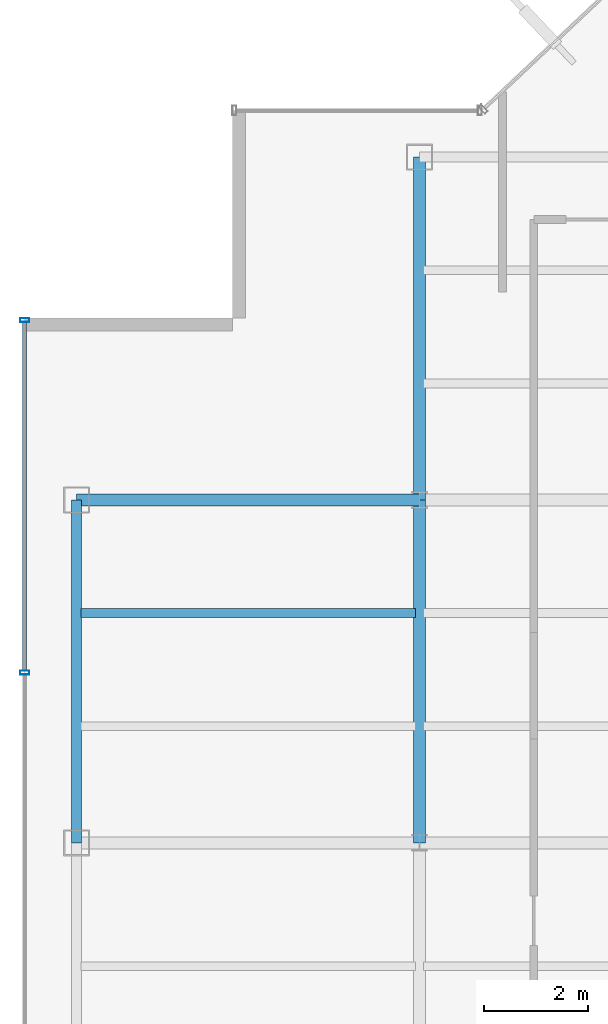
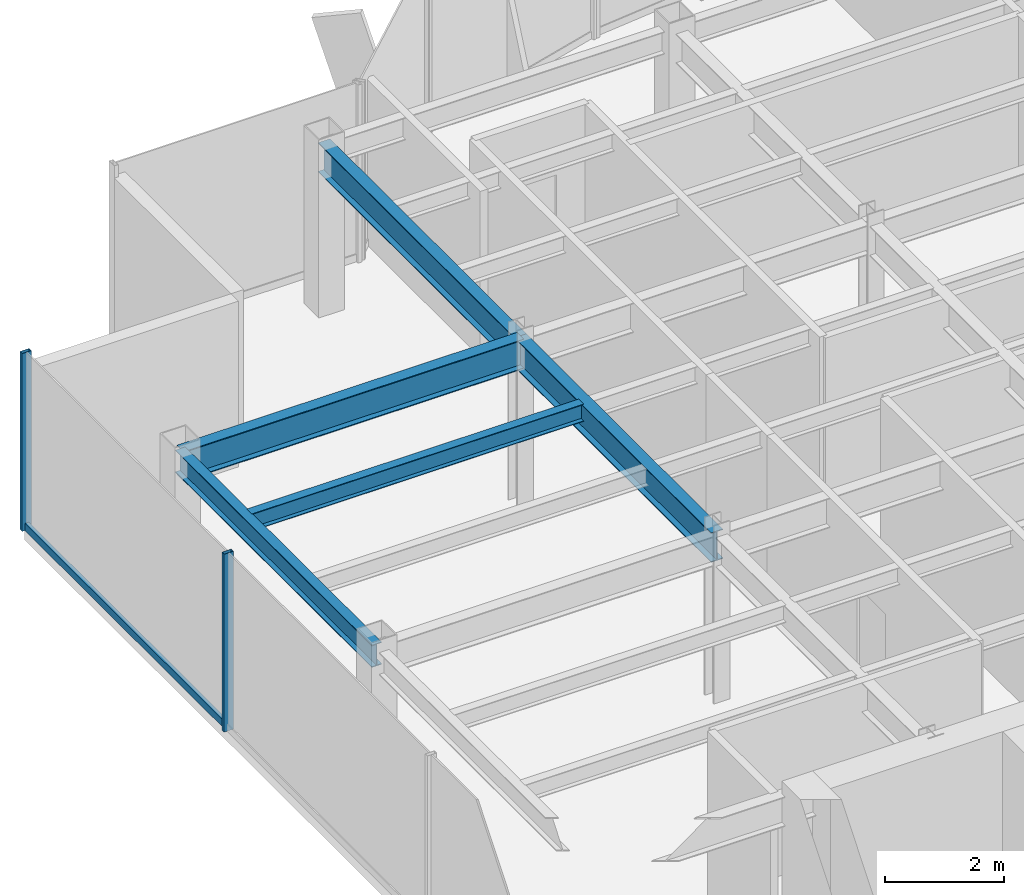
# One storey, part 7 of 21: 5 beams, 3 members, 1 element without a shape of its own.
"""IFC4 building model written with IfcOpenShell, lengths in metres."""

import ifcopenshell
import ifcopenshell.guid

model = None  # the IFC model being written
_history = None  # IfcOwnerHistory: only IFC2X3 demands one
_inside = {}  # id of a spatial element -> (the spatial element, [elements in it])
_under = {}  # id of a project, library or spatial element -> (it, [spatial elements below it])
_declared = {}  # id of a project -> (the project, [libraries it declares])
_typed = {}  # id of a type object -> (the type object, [elements of that type])
_made_of = {}  # id of a material, layer set ... -> (it, [elements and type objects made of it])


def new_model(schema):
    """Start an empty IFC model of exactly this schema.

    Asked for "IFC4X3", IfcOpenShell would pick the latest addendum, in which some entities
    have other attributes; the version numbers below select the first issue.
    IFC2X3 requires an IfcOwnerHistory on every rooted entity: one is made here for all.
    """
    global model, _history
    if schema == "IFC4X3":
        model = ifcopenshell.file(schema_version=(4, 3, 0, 0))
    else:
        model = ifcopenshell.file(schema=schema)
    _inside.clear()
    _under.clear()
    _declared.clear()
    _typed.clear()
    _made_of.clear()
    _history = None
    if model.schema == "IFC2X3":
        org = make("IfcOrganization", Name="unknown")
        user = make(
            "IfcPersonAndOrganization",
            ThePerson=make("IfcPerson", FamilyName="unknown"),
            TheOrganization=org,
        )
        app = make(
            "IfcApplication",
            ApplicationDeveloper=org,
            Version="unknown",
            ApplicationFullName="unknown",
            ApplicationIdentifier="unknown",
        )
        _history = make(
            "IfcOwnerHistory",
            OwningUser=user,
            OwningApplication=app,
            ChangeAction="ADDED",
            CreationDate=0,
        )
    return model


def make(cls, **values):
    """One entity of the class cls with the attributes given. An attribute that is None is left unset."""
    return model.create_entity(
        cls, **{name: value for name, value in values.items() if value is not None}
    )


def rooted(cls, **values):
    """An entity with a GlobalId (a new one), such as an element, a storey or a relation."""
    return make(cls, GlobalId=ifcopenshell.guid.new(), OwnerHistory=_history, **values)


def si_unit(unit_type, name, prefix=None):
    """IfcSIUnit, for example si_unit("LENGTHUNIT", "METRE", prefix="MILLI")."""
    return make("IfcSIUnit", UnitType=unit_type, Prefix=prefix, Name=name)


def derived_unit(unit_type, elements):
    """IfcDerivedUnit: a product of units, each with its exponent."""
    return make(
        "IfcDerivedUnit",
        Elements=[
            make("IfcDerivedUnitElement", Unit=unit, Exponent=power)
            for unit, power in elements
        ],
        UnitType=unit_type,
    )


def assignment(units):
    """IfcUnitAssignment: the units of a project."""
    return None if units is None else make("IfcUnitAssignment", Units=units)


def point(xyz):
    """IfcCartesianPoint."""
    return None if xyz is None else make("IfcCartesianPoint", Coordinates=xyz)


def direction(xyz):
    """IfcDirection."""
    return None if xyz is None else make("IfcDirection", DirectionRatios=xyz)


def frame(location, z_axis=None, x_axis=None):
    """IfcAxis2Placement3D, a coordinate frame: its origin and axes. An axis left out is left unset."""
    return make(
        "IfcAxis2Placement3D",
        Location=point(location),
        Axis=direction(z_axis),
        RefDirection=direction(x_axis),
    )


def frame_2d(location, x_axis=None):
    """IfcAxis2Placement2D, a coordinate frame in the plane: its origin and x axis."""
    return make(
        "IfcAxis2Placement2D", Location=point(location), RefDirection=direction(x_axis)
    )


def origin():
    """The frame at (0, 0, 0) with its axes left unset."""
    return frame((0.0, 0.0, 0.0))


def origin_2d():
    """The frame at (0, 0) in the plane with its x axis left unset."""
    return frame_2d((0.0, 0.0))


def place(relative_to, where):
    """IfcLocalPlacement: puts the frame where relative to a parent placement (None: the world)."""
    return make(
        "IfcLocalPlacement", PlacementRelTo=relative_to, RelativePlacement=where
    )


def context(
    kind, dimensions, precision=None, world=None, true_north=None, identifier=None
):
    """IfcGeometricRepresentationContext, for example the 3D "Model" context."""
    return make(
        "IfcGeometricRepresentationContext",
        ContextIdentifier=identifier,
        ContextType=kind,
        CoordinateSpaceDimension=dimensions,
        Precision=precision,
        WorldCoordinateSystem=world,
        TrueNorth=true_north,
    )


def subcontext(parent, identifier, kind, view, scale=None):
    """IfcGeometricRepresentationSubContext, for example "Body" below "Model"."""
    return make(
        "IfcGeometricRepresentationSubContext",
        ContextIdentifier=identifier,
        ContextType=kind,
        ParentContext=parent,
        TargetScale=scale,
        TargetView=view,
    )


def project(units=None, contexts=None):
    """IfcProject with its units and contexts."""
    return rooted(
        "IfcProject",
        Name="project",
        RepresentationContexts=contexts,
        UnitsInContext=assignment(units),
    )


def spatial(cls, under=None, at=None, **own):
    """A site, building, storey or space (cls), placed at a placement, below another one or the project."""
    s = rooted(cls, ObjectPlacement=at, **own)
    if under is not None:
        _under.setdefault(under.id(), (under, []))[1].append(s)
    return s


def profile(cls, at=None, kind="AREA", **sizes):
    """A parametric profile (cls). Its sizes go by their IFC names, for example OverallWidth=200.0."""
    return make(cls, ProfileType=kind, Position=at, **sizes)


def hollow_rectangle(**sizes):
    """IfcRectangleHollowProfileDef."""
    return profile("IfcRectangleHollowProfileDef", **sizes)


def i_section(**sizes):
    """IfcIShapeProfileDef."""
    return profile("IfcIShapeProfileDef", **sizes)


def extrude(swept, where, along, depth):
    """IfcExtrudedAreaSolid: the profile swept, set in the frame where, extruded along a direction by depth."""
    return make(
        "IfcExtrudedAreaSolid",
        SweptArea=swept,
        Position=where,
        ExtrudedDirection=direction(along),
        Depth=depth,
    )


def shape(context_of_items, identifier, shape_type, items):
    """IfcShapeRepresentation: the items that make up one representation, for example the "Body"."""
    return make(
        "IfcShapeRepresentation",
        ContextOfItems=context_of_items,
        RepresentationIdentifier=identifier,
        RepresentationType=shape_type,
        Items=items,
    )


def source(mapping_origin, context_of_items, identifier, shape_type, items):
    """IfcRepresentationMap: a shape defined once, which mapped items show again and again."""
    return make(
        "IfcRepresentationMap",
        MappingOrigin=mapping_origin,
        MappedRepresentation=shape(context_of_items, identifier, shape_type, items),
    )


def transform(
    local_origin,
    x_axis=None,
    y_axis=None,
    z_axis=None,
    scale=None,
    scale2=None,
    scale3=None,
    uniform=True,
):
    """IfcCartesianTransformationOperator3D, or its non-uniform kind. x_axis, y_axis, z_axis: its Axis1, 2, 3."""
    if uniform:
        return make(
            "IfcCartesianTransformationOperator3D",
            Axis1=direction(x_axis),
            Axis2=direction(y_axis),
            LocalOrigin=point(local_origin),
            Scale=scale,
            Axis3=direction(z_axis),
        )
    return make(
        "IfcCartesianTransformationOperator3DnonUniform",
        Axis1=direction(x_axis),
        Axis2=direction(y_axis),
        LocalOrigin=point(local_origin),
        Scale=scale,
        Axis3=direction(z_axis),
        Scale2=scale2,
        Scale3=scale3,
    )


def mapped(mapping_source, mapping_target):
    """IfcMappedItem: shows the shape of a source again, moved by a transform."""
    return make(
        "IfcMappedItem", MappingSource=mapping_source, MappingTarget=mapping_target
    )


def material(Name=None, Category=None):
    """IfcMaterial."""
    return make("IfcMaterial", Name=Name, Category=Category)


def material_profile(
    of_material, cross_section, Name=None, Category=None, Priority=None
):
    """IfcMaterialProfile: a cross section and its material."""
    return make(
        "IfcMaterialProfile",
        Name=Name,
        Material=of_material,
        Profile=cross_section,
        Priority=Priority,
        Category=Category,
    )


def profile_set(profiles, Name=None, composite=None):
    """IfcMaterialProfileSet."""
    return make(
        "IfcMaterialProfileSet",
        Name=Name,
        MaterialProfiles=profiles,
        CompositeProfile=composite,
    )


def made_of(thing, what):
    """Note that an element or type object is made of a material, layer set ...; save() writes the relation."""
    if what is not None:
        _made_of.setdefault(what.id(), (what, []))[1].append(thing)
    return thing


def type_object(cls, material=None, **own):
    """A type object (cls), such as IfcWallType, which elements share."""
    return made_of(rooted(cls, **own), material)


def element(
    cls,
    number,
    at=None,
    inside=None,
    cuts=None,
    type_object=None,
    material=None,
    context=None,
    identifier="Body",
    shape_type=None,
    held_by="IfcProductDefinitionShape",
    body=None,
    shapes=None,
    **own,
):
    """One element of the class cls, such as IfcWall. Its Tag is "e" and its number.

    at: its placement. inside: the storey or other place that contains it. cuts: it is an
    opening in that element (IfcRelVoidsElement). A single representation is given by context,
    identifier, shape_type and body (its items); several are given by shapes. held_by: the class
    of the entity that holds the representations. save() writes the other relations.
    """
    e = rooted(cls, Tag="e%d" % number, ObjectPlacement=at, **own)
    if body is not None:
        shapes = [shape(context, identifier, shape_type, body)]
    if shapes is not None:
        e.Representation = make(held_by, Representations=shapes)
    if inside is not None:
        _inside.setdefault(inside.id(), (inside, []))[1].append(e)
    if cuts is not None:
        rooted(
            "IfcRelVoidsElement", RelatingBuildingElement=cuts, RelatedOpeningElement=e
        )
    if type_object is not None:
        _typed.setdefault(type_object.id(), (type_object, []))[1].append(e)
    return made_of(e, material)


def aggregate(whole, parts):
    """IfcRelAggregates: a whole, such as a stair, and the parts it consists of."""
    return rooted("IfcRelAggregates", RelatingObject=whole, RelatedObjects=parts)


def save(model, path):
    """Write the relations noted so far, then the file.

    IfcRelAggregates (storeys below a building ...), IfcRelContainedInSpatialStructure (elements
    in a storey), IfcRelDefinesByType, IfcRelAssociatesMaterial and IfcRelDeclares: one each for
    every whole, place, type object, material and project.
    """
    for whole, parts in _under.values():
        aggregate(whole, parts)
    for where, things in _inside.values():
        rooted(
            "IfcRelContainedInSpatialStructure",
            RelatedElements=things,
            RelatingStructure=where,
        )
    for kind, things in _typed.values():
        rooted("IfcRelDefinesByType", RelatedObjects=things, RelatingType=kind)
    for what, things in _made_of.values():
        rooted("IfcRelAssociatesMaterial", RelatedObjects=things, RelatingMaterial=what)
    for by, libraries in _declared.values():
        rooted("IfcRelDeclares", RelatingContext=by, RelatedDefinitions=libraries)
    model.write(path)


model = new_model("IFC4")

# Units and contexts
model_context = context("Model", 3, precision=1e-05, world=origin(), true_north=direction((0.0, 1.0)))
body_context = subcontext(model_context, "Body", "Model", "MODEL_VIEW")
ifc_project = project(units=[si_unit("LENGTHUNIT", "METRE"), si_unit("AREAUNIT", "SQUARE_METRE"), si_unit("VOLUMEUNIT", "CUBIC_METRE"), si_unit("PLANEANGLEUNIT", "RADIAN"), si_unit("MASSUNIT", "GRAM", prefix="KILO"), derived_unit("THERMALTRANSMITTANCEUNIT", [(si_unit("POWERUNIT", "WATT"), 1), (si_unit("LENGTHUNIT", "METRE"), -2), (si_unit("THERMODYNAMICTEMPERATUREUNIT", "KELVIN"), -1)])], contexts=[model_context])

# Site, building, storey
site_placement = place(None, origin())
site = spatial("IfcSite", under=ifc_project, at=site_placement, CompositionType="ELEMENT")
building_placement = place(site_placement, origin())
building = spatial("IfcBuilding", under=site, at=building_placement, Name="Skarnbrae Concourse Arena and Tower", CompositionType="ELEMENT")
storey_placement = place(building_placement, frame((0.0, 0.0, 188.60009765625)))
storey = spatial("IfcBuildingStorey", under=building, at=storey_placement, Name="L48", CompositionType="ELEMENT", Elevation=188.60009765625)

# Beams
ifc_material_1 = material(Name="Steel CSA G40.21 350W", Category="steel")
ifc_material_profile_1 = material_profile(ifc_material_1, i_section(OverallWidth=0.22802734375, OverallDepth=0.60791015625, WebThickness=0.01123046875, FlangeThickness=0.017333984375, at=origin_2d()), Name="W610X113")
ifc_profile_set_1 = profile_set([ifc_material_profile_1], Name="Steel CSA G40.21 350W")
beam_type_1 = type_object("IfcBeamType", Name="BM-GIRD-W610X113", PredefinedType="BEAM", material=ifc_profile_set_1)
shared_shape_1 = source(origin(), body_context, "Body", "SweptSolid", [
    extrude(i_section(OverallWidth=0.22802734375, OverallDepth=0.60791015625, WebThickness=0.01123046875, FlangeThickness=0.017333984375, at=origin_2d()), origin(), (0.0, 0.0, 1.0), 6.60009765625),
])
for number, where, z_axis, x_axis, name in (
    (1, (1.0, 27.800048828125, 3.095947265625), (1.0, 0.0, 0.0), (0.0, 1.0, 0.0), "L48 Primary E-W girder Y27.8-1"),
    (2, (7.60009765625, 21.199951171875, 3.095947265625), (0.0, 1.0, 0.0), (-1.0, 0.0, 0.0), "L48 Primary N-S girder X7.6-2"),
):
    element("IfcBeam", number, at=place(storey_placement, frame(where, z_axis=z_axis, x_axis=x_axis)), inside=storey, type_object=beam_type_1, Name=name, PredefinedType="BEAM", context=body_context, shape_type="MappedRepresentation", body=[
        mapped(shared_shape_1, transform((0.0, 0.0, 0.0))),
    ])
ifc_material_profile_2 = material_profile(ifc_material_1, i_section(OverallWidth=0.19091796875, OverallDepth=0.4599609375, WebThickness=0.010009765625, FlangeThickness=0.01611328125, at=origin_2d()), Name="W460X82")
ifc_profile_set_2 = profile_set([ifc_material_profile_2], Name="Steel CSA G40.21 350W")
beam_type_2 = type_object("IfcBeamType", Name="BM-SPAN-W460X82", PredefinedType="SPANDREL", material=ifc_profile_set_2)
shared_shape_2 = source(origin(), body_context, "Body", "SweptSolid", [
    extrude(i_section(OverallWidth=0.19091796875, OverallDepth=0.4599609375, WebThickness=0.010009765625, FlangeThickness=0.01611328125, at=origin_2d()), origin(), (0.0, 0.0, 1.0), 6.60009765625),
])
beam_1_placement = place(storey_placement, frame((1.0, 21.199951171875, 3.169921875), z_axis=(0.0, 1.0, 0.0), x_axis=(-1.0, 0.0, 0.0)))
element("IfcBeam", 3, at=beam_1_placement, inside=storey, type_object=beam_type_2, Name="L48 Perimeter spandrel X1.0-3", PredefinedType="SPANDREL", context=body_context, shape_type="MappedRepresentation", body=[
    mapped(shared_shape_2, transform((0.0, 0.0, 0.0))),
])
shared_shape_3 = source(origin(), body_context, "Body", "SweptSolid", [
    extrude(i_section(OverallWidth=0.22802734375, OverallDepth=0.60791015625, WebThickness=0.01123046875, FlangeThickness=0.017333984375, at=origin_2d()), origin(), (0.0, 0.0, 1.0), 6.599853515625),
])
beam_2_placement = place(storey_placement, frame((7.60009765625, 27.800048828125, 3.095947265625), z_axis=(0.0, 1.0, 0.0), x_axis=(-1.0, 0.0, 0.0)))
element("IfcBeam", 4, at=beam_2_placement, inside=storey, type_object=beam_type_1, Name="L48 Primary N-S girder X7.6-3", PredefinedType="BEAM", context=body_context, shape_type="MappedRepresentation", body=[
    mapped(shared_shape_3, transform((0.0, 0.0, 0.0))),
])
ifc_material_profile_3 = material_profile(ifc_material_1, i_section(OverallWidth=0.1708984375, OverallDepth=0.35498046875, WebThickness=0.007080078125, FlangeThickness=0.01171875, at=origin_2d()), Name="W360X51")
ifc_profile_set_3 = profile_set([ifc_material_profile_3], Name="Steel CSA G40.21 350W")
beam_type_3 = type_object("IfcBeamType", Name="BM-JOIST-W360X51", PredefinedType="JOIST", material=ifc_profile_set_3)
shared_shape_4 = source(origin(), body_context, "Body", "SweptSolid", [
    extrude(i_section(OverallWidth=0.1708984375, OverallDepth=0.35498046875, WebThickness=0.007080078125, FlangeThickness=0.01171875, at=origin_2d()), origin(), (0.0, 0.0, 1.0), 6.43994140625),
])
beam_3_placement = place(storey_placement, frame((1.080078125, 25.6220703125, 3.222412109375), z_axis=(1.0, 0.0, 0.0), x_axis=(0.0, 1.0, 0.0)))
element("IfcBeam", 5, at=beam_3_placement, inside=storey, type_object=beam_type_3, Name="L48 Secondary floor joist 2.2.1", PredefinedType="JOIST", context=body_context, shape_type="MappedRepresentation", body=[
    mapped(shared_shape_4, transform((0.0, 0.0, 0.0))),
])

# Curtain wall, members
ifc_material_2 = material(Name="Bronze anodised aluminium 6063-T6", Category="aluminium")
curtain_wall_type = type_object("IfcCurtainWallType", Name="CW-SYS-05-HIGHZONE", PredefinedType="USERDEFINED", material=ifc_material_2)
curtain_wall_placement = place(storey_placement, origin())
curtain_wall = element("IfcCurtainWall", 6, at=curtain_wall_placement, inside=storey, type_object=curtain_wall_type, Name="L48 Unitised curtain wall CW-L48-E18", ObjectType="UNITISED CURTAIN WALL", PredefinedType="USERDEFINED")
ifc_material_profile_4 = material_profile(ifc_material_2, hollow_rectangle(XDim=0.074951171875, YDim=0.179931640625, WallThickness=0.00390625, at=origin_2d()), Name="ALU-MULL-75X180")
ifc_profile_set_4 = profile_set([ifc_material_profile_4], Name="Bronze anodised aluminium 6063-T6")
member_type_1 = type_object("IfcMemberType", Name="CWM-CW-05", PredefinedType="MULLION", material=ifc_profile_set_4)
shared_shape_5 = source(origin(), body_context, "Body", "SweptSolid", [
    extrude(hollow_rectangle(XDim=0.074951171875, YDim=0.179931640625, WallThickness=0.00390625, at=origin_2d()), origin(), (0.0, 0.0, 1.0), 3.64990234375),
])
member_1_placement = place(storey_placement, frame((0.0, 31.262451171875, 0.0), z_axis=(0.0, 0.0, 1.0), x_axis=(0.0, -1.0, 0.0)))
member_1 = element("IfcMember", 7, at=member_1_placement, type_object=member_type_1, Name="CW-L48-E18 Mullion 1", PredefinedType="MULLION", context=body_context, shape_type="MappedRepresentation", body=[
    mapped(shared_shape_5, transform((0.0, 0.0, 0.0))),
])
member_2_placement = place(storey_placement, frame((0.0, 24.47509765625, 0.0), z_axis=(0.0, 0.0, 1.0), x_axis=(0.0, -1.0, 0.0)))
member_2 = element("IfcMember", 8, at=member_2_placement, type_object=member_type_1, Name="CW-L48-E18 Mullion 2", PredefinedType="MULLION", context=body_context, shape_type="MappedRepresentation", body=[
    mapped(shared_shape_5, transform((0.0, 0.0, 0.0))),
])
ifc_material_profile_5 = material_profile(ifc_material_2, hollow_rectangle(XDim=0.074951171875, YDim=0.14990234375, WallThickness=0.00390625, at=origin_2d()), Name="ALU-TRAN-75X150")
ifc_profile_set_5 = profile_set([ifc_material_profile_5], Name="Bronze anodised aluminium 6063-T6")
member_type_2 = type_object("IfcMemberType", Name="CWT-CW-05", PredefinedType="USERDEFINED", material=ifc_profile_set_5)
shared_shape_6 = source(origin(), body_context, "Body", "SweptSolid", [
    extrude(hollow_rectangle(XDim=0.074951171875, YDim=0.14990234375, WallThickness=0.00390625, at=origin_2d()), origin(), (0.0, 0.0, 1.0), 6.712646484375),
])
member_3_placement = place(storey_placement, frame((0.0, 31.22509765625, 0.074951171875), z_axis=(0.0, -1.0, 0.0), x_axis=(1.0, 0.0, 0.0)))
member_3 = element("IfcMember", 9, at=member_3_placement, type_object=member_type_2, Name="CW-L48-E18 Transom 1", ObjectType="TRANSOM", PredefinedType="USERDEFINED", context=body_context, shape_type="MappedRepresentation", body=[
    mapped(shared_shape_6, transform((0.0, 0.0, 0.0))),
])
aggregate(curtain_wall, [member_1, member_2, member_3])

save(model, "model.ifc")
